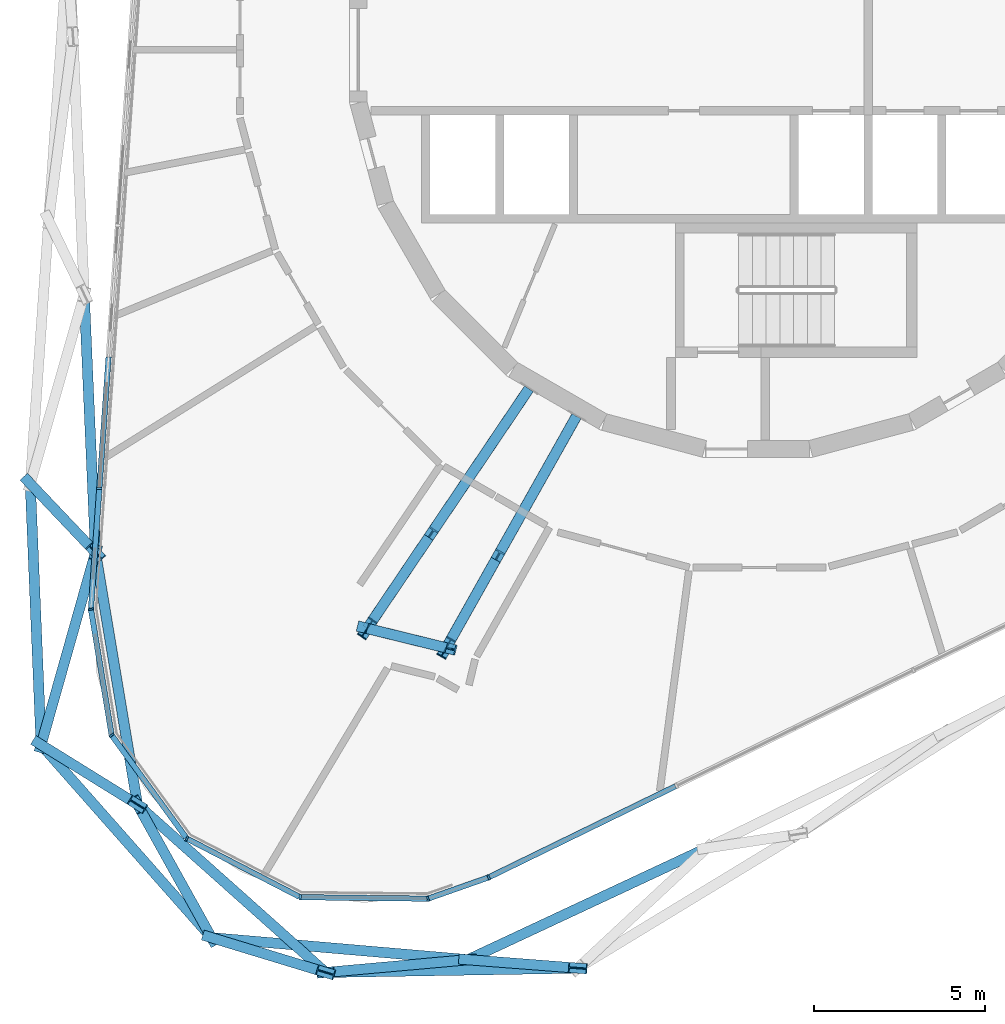
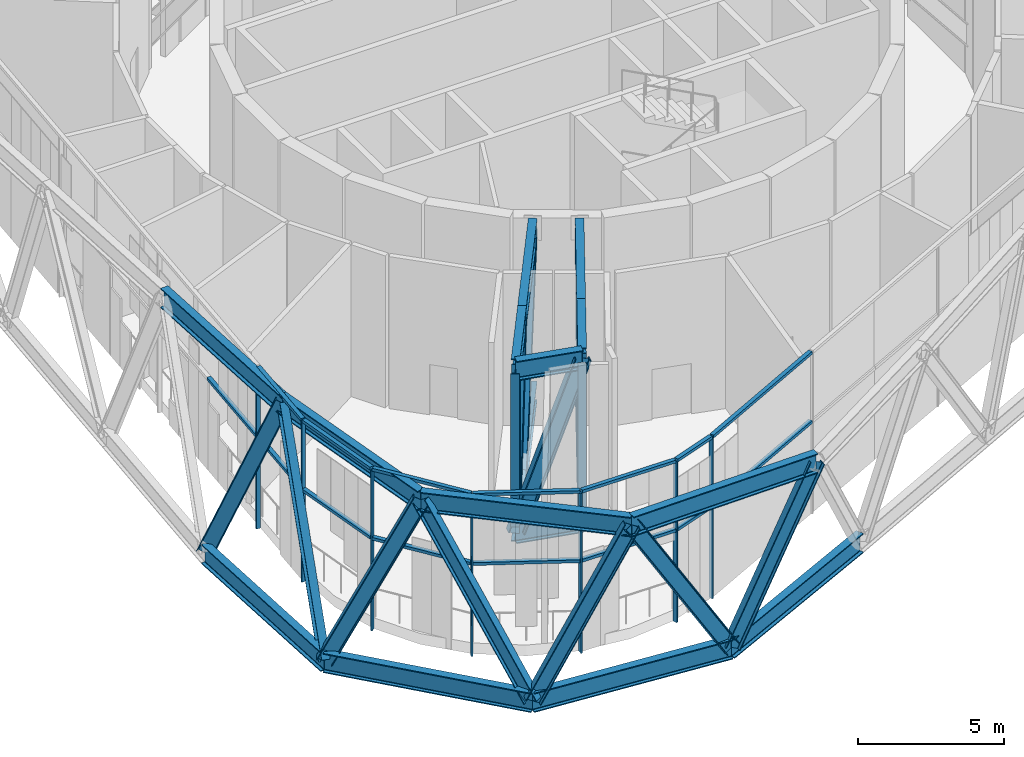
# One storey, part 1 of 24: 54 members, 2 elements without a shape of their own.
"""IFC4 building model written with IfcOpenShell, lengths in metres."""

from ifc_helpers import new_model, si_unit, direction, frame, origin, origin_2d, place, context, subcontext, project, spatial, rectangle, i_section, extrude, material, layer, layer_set, material_profile, profile_set, type_object, element, aggregate, save


model = new_model("IFC4")

# Units and contexts
model_context = context("Model", 3, precision=1e-05, world=origin(), true_north=direction((0.0, 1.0)))
body_context = subcontext(model_context, "Body", "Model", "MODEL_VIEW")
ifc_project = project(units=[si_unit("LENGTHUNIT", "METRE"), si_unit("AREAUNIT", "SQUARE_METRE"), si_unit("VOLUMEUNIT", "CUBIC_METRE"), si_unit("PLANEANGLEUNIT", "RADIAN"), si_unit("MASSUNIT", "GRAM", prefix="KILO")], contexts=[model_context])

# Site, building, storey
site_placement = place(None, origin())
site = spatial("IfcSite", under=ifc_project, at=site_placement, CompositionType="ELEMENT")
building_placement = place(site_placement, origin())
building = spatial("IfcBuilding", under=site, at=building_placement, Name="Spindle Arch Residences", CompositionType="ELEMENT")
storey_placement = place(building_placement, frame((0.0, 0.0, 219.89990234375)))
storey = spatial("IfcBuildingStorey", under=building, at=storey_placement, Name="L56", CompositionType="ELEMENT", Elevation=219.89990234375)

# Members
ifc_material_1 = material(Name="Steel S460ML, intumescent coating R 240", Category="steel")
ifc_material_profile_1 = material_profile(ifc_material_1, i_section(OverallWidth=0.302978515625, OverallDepth=0.81396484375, WebThickness=0.02099609375, FlangeThickness=0.0400390625, FilletRadius=0.030029296875, at=origin_2d()), Name="HEM 800")
ifc_profile_set_1 = profile_set([ifc_material_profile_1], Name="Steel S460ML, intumescent coating R 240")
member_type_1 = type_object("IfcMemberType", Name="Belt truss chord HEM 800", PredefinedType="CHORD", material=ifc_profile_set_1)
member_1_placement = place(storey_placement, frame((-21.21533203125, -12.656005859375, -0.85693359375), z_axis=(0.041470703136, -0.99913972035, 0.0), x_axis=(0.99913972035, 0.041470703136, 0.0)))
element("IfcMember", 1, at=member_1_placement, inside=storey, type_object=member_type_1, Name="Belt truss bottom chord L56.17", PredefinedType="CHORD", context=body_context, shape_type="SweptSolid", body=[
    extrude(i_section(OverallWidth=0.302978515625, OverallDepth=0.81396484375, WebThickness=0.02099609375, FlangeThickness=0.0400390625, FilletRadius=0.030029296875, at=origin_2d()), origin(), (0.0, 0.0, 1.0), 7.623779296875),
])
member_2_placement = place(storey_placement, frame((-20.899169921875, -20.273193359375, -0.85693359375), z_axis=(0.661973185379, -0.749527519067, 0.0), x_axis=(0.749527519067, 0.661973185379, 0.0)))
element("IfcMember", 2, at=member_2_placement, inside=storey, type_object=member_type_1, Name="Belt truss bottom chord L56.18", PredefinedType="CHORD", context=body_context, shape_type="SweptSolid", body=[
    extrude(i_section(OverallWidth=0.302978515625, OverallDepth=0.81396484375, WebThickness=0.02099609375, FlangeThickness=0.0400390625, FilletRadius=0.030029296875, at=origin_2d()), origin(), (0.0, 0.0, 1.0), 7.50927734375),
])
member_3_placement = place(storey_placement, frame((-15.92822265625, -25.901611328125, -0.85693359375), z_axis=(0.996343091308, -0.08544263808, 0.0), x_axis=(0.08544263808, 0.996343091308, 0.0)))
element("IfcMember", 3, at=member_3_placement, inside=storey, type_object=member_type_1, Name="Belt truss bottom chord L56.19", PredefinedType="CHORD", context=body_context, shape_type="SweptSolid", body=[
    extrude(i_section(OverallWidth=0.302978515625, OverallDepth=0.81396484375, WebThickness=0.02099609375, FlangeThickness=0.0400390625, FilletRadius=0.030029296875, at=origin_2d()), origin(), (0.0, 0.0, 1.0), 7.509033203125),
])
member_4_placement = place(storey_placement, frame((-8.446533203125, -26.543212890625, -0.85693359375), z_axis=(0.905892479673, 0.423507751136, 0.0), x_axis=(-0.423507751136, 0.905892479673, 0.0)))
element("IfcMember", 4, at=member_4_placement, inside=storey, type_object=member_type_1, Name="Belt truss bottom chord L56.20", PredefinedType="CHORD", context=body_context, shape_type="SweptSolid", body=[
    extrude(i_section(OverallWidth=0.302978515625, OverallDepth=0.81396484375, WebThickness=0.02099609375, FlangeThickness=0.0400390625, FilletRadius=0.030029296875, at=origin_2d()), origin(), (0.0, 0.0, 1.0), 7.687744140625),
])
member_5_placement = place(storey_placement, frame((-19.6416015625, -7.138671875, 5.943115234375), z_axis=(0.043607469261, -0.999048741866, 0.0), x_axis=(0.999048741866, 0.043607469261, 0.0)))
element("IfcMember", 5, at=member_5_placement, inside=storey, type_object=member_type_1, Name="Belt truss top chord L56.16", PredefinedType="CHORD", context=body_context, shape_type="SweptSolid", body=[
    extrude(i_section(OverallWidth=0.302978515625, OverallDepth=0.81396484375, WebThickness=0.02099609375, FlangeThickness=0.0400390625, FilletRadius=0.030029296875, at=origin_2d()), origin(), (0.0, 0.0, 1.0), 7.530029296875),
])
member_6_placement = place(storey_placement, frame((-19.313232421875, -14.66162109375, 5.943115234375), z_axis=(0.164181276157, -0.986430184331, 0.0), x_axis=(0.986430184331, 0.164181276157, 0.0)))
element("IfcMember", 6, at=member_6_placement, inside=storey, type_object=member_type_1, Name="Belt truss top chord L56.17", PredefinedType="CHORD", context=body_context, shape_type="SweptSolid", body=[
    extrude(i_section(OverallWidth=0.302978515625, OverallDepth=0.81396484375, WebThickness=0.02099609375, FlangeThickness=0.0400390625, FilletRadius=0.030029296875, at=origin_2d()), origin(), (0.0, 0.0, 1.0), 7.455810546875),
])
for number, where, z_axis, x_axis, name in (
    (7, (-18.089111328125, -22.016357421875, 5.943115234375), (0.746197856077, -0.665724236892, 0.0), (0.665724236892, 0.746197856077, 0.0), "Belt truss top chord L56.18"),
    (8, (-12.599365234375, -26.9140625, 5.943115234375), (0.999854520031, 0.017056927424, 0.0), (-0.017056927424, 0.999854520031, 0.0), "Belt truss top chord L56.19"),
):
    element("IfcMember", number, at=place(storey_placement, frame(where, z_axis=z_axis, x_axis=x_axis)), inside=storey, type_object=member_type_1, Name=name, PredefinedType="CHORD", context=body_context, shape_type="SweptSolid", body=[
        extrude(i_section(OverallWidth=0.302978515625, OverallDepth=0.81396484375, WebThickness=0.02099609375, FlangeThickness=0.0400390625, FilletRadius=0.030029296875, at=origin_2d()), origin(), (0.0, 0.0, 1.0), 7.35693359375),
    ])
ifc_material_2 = material(Name="Steel S460ML, intumescent coating R 240", Category="steel")
ifc_material_profile_2 = material_profile(ifc_material_2, i_section(OverallWidth=0.300048828125, OverallDepth=0.60009765625, WebThickness=0.015380859375, FlangeThickness=0.030029296875, FilletRadius=0.027099609375, at=origin_2d()), Name="HEB 600")
ifc_profile_set_2 = profile_set([ifc_material_profile_2], Name="Steel S460ML, intumescent coating R 240")
member_type_2 = type_object("IfcMemberType", Name="Belt truss diagonal HEB 600", PredefinedType="BRACE", material=ifc_profile_set_2)
member_7_placement = place(storey_placement, frame((-21.21533203125, -12.656005859375, -0.85693359375), z_axis=(0.259128314787, -0.273230536, 0.926389545857), x_axis=(0.72558355174, 0.688134078102, 0.0)))
element("IfcMember", 9, at=member_7_placement, inside=storey, type_object=member_type_2, Name="Belt truss diagonal L56.17.17", PredefinedType="BRACE", context=body_context, shape_type="SweptSolid", body=[
    extrude(i_section(OverallWidth=0.300048828125, OverallDepth=0.60009765625, WebThickness=0.015380859375, FlangeThickness=0.030029296875, FilletRadius=0.027099609375, at=origin_2d()), origin(), (0.0, 0.0, 1.0), 7.34033203125),
])
member_8_placement = place(storey_placement, frame((-20.899169921875, -20.273193359375, -0.85693359375), z_axis=(0.177041646584, 0.626431996112, 0.759104215258), x_axis=(-0.962306782956, 0.271966276358, 0.0)))
element("IfcMember", 10, at=member_8_placement, inside=storey, type_object=member_type_2, Name="Belt truss diagonal L56.17.18", PredefinedType="BRACE", context=body_context, shape_type="SweptSolid", body=[
    extrude(i_section(OverallWidth=0.300048828125, OverallDepth=0.60009765625, WebThickness=0.015380859375, FlangeThickness=0.030029296875, FilletRadius=0.027099609375, at=origin_2d()), origin(), (0.0, 0.0, 1.0), 8.9580078125),
])
member_9_placement = place(storey_placement, frame((-20.899169921875, -20.273193359375, -0.85693359375), z_axis=(0.371628982359, -0.230532661516, 0.899303392324), x_axis=(0.527142306243, 0.849777023089, 0.0)))
element("IfcMember", 11, at=member_9_placement, inside=storey, type_object=member_type_2, Name="Belt truss diagonal L56.18.18", PredefinedType="BRACE", context=body_context, shape_type="SweptSolid", body=[
    extrude(i_section(OverallWidth=0.300048828125, OverallDepth=0.60009765625, WebThickness=0.015380859375, FlangeThickness=0.030029296875, FilletRadius=0.027099609375, at=origin_2d()), origin(), (0.0, 0.0, 1.0), 7.5615234375),
])
member_10_placement = place(storey_placement, frame((-15.92822265625, -25.901611328125, -0.85693359375), z_axis=(-0.26597632563, 0.478222488541, 0.836994531439), x_axis=(-0.873926635777, -0.486057851782, 0.0)))
element("IfcMember", 12, at=member_10_placement, inside=storey, type_object=member_type_2, Name="Belt truss diagonal L56.18.19", PredefinedType="BRACE", context=body_context, shape_type="SweptSolid", body=[
    extrude(i_section(OverallWidth=0.300048828125, OverallDepth=0.60009765625, WebThickness=0.015380859375, FlangeThickness=0.030029296875, FilletRadius=0.027099609375, at=origin_2d()), origin(), (0.0, 0.0, 1.0), 8.124267578125),
])
member_11_placement = place(storey_placement, frame((-15.92822265625, -25.901611328125, -0.85693359375), z_axis=(0.435798649179, -0.132545434408, 0.890231006644), x_axis=(0.290982915281, 0.956728249303, 0.0)))
element("IfcMember", 13, at=member_11_placement, inside=storey, type_object=member_type_2, Name="Belt truss diagonal L56.19.19", PredefinedType="BRACE", context=body_context, shape_type="SweptSolid", body=[
    extrude(i_section(OverallWidth=0.300048828125, OverallDepth=0.60009765625, WebThickness=0.015380859375, FlangeThickness=0.030029296875, FilletRadius=0.027099609375, at=origin_2d()), origin(), (0.0, 0.0, 1.0), 7.638427734375),
])
member_12_placement = place(storey_placement, frame((-8.446533203125, -26.543212890625, -0.85693359375), z_axis=(-0.520634775449, -0.046492899701, 0.852512663173), x_axis=(0.08894646117, -0.996036408494, 0.0)))
element("IfcMember", 14, at=member_12_placement, inside=storey, type_object=member_type_2, Name="Belt truss diagonal L56.19.20", PredefinedType="BRACE", context=body_context, shape_type="SweptSolid", body=[
    extrude(i_section(OverallWidth=0.300048828125, OverallDepth=0.60009765625, WebThickness=0.015380859375, FlangeThickness=0.030029296875, FilletRadius=0.027099609375, at=origin_2d()), origin(), (0.0, 0.0, 1.0), 7.9765625),
])
member_13_placement = place(storey_placement, frame((-8.446533203125, -26.543212890625, -0.85693359375), z_axis=(0.425908025311, -0.032624814439, 0.904178066234), x_axis=(0.076376861021, 0.997079021493, 0.0)))
element("IfcMember", 15, at=member_13_placement, inside=storey, type_object=member_type_2, Name="Belt truss diagonal L56.20.20", PredefinedType="BRACE", context=body_context, shape_type="SweptSolid", body=[
    extrude(i_section(OverallWidth=0.300048828125, OverallDepth=0.60009765625, WebThickness=0.015380859375, FlangeThickness=0.030029296875, FilletRadius=0.027099609375, at=origin_2d()), origin(), (0.0, 0.0, 1.0), 7.520751953125),
])

# Curtain wall, members
ifc_material_3 = material(Name="Aluminium bronze unitised frame with tinted glass", Category="aluminium")
ifc_layer = layer(ifc_material_3, 0.159912109375)
ifc_layer_set = layer_set([ifc_layer], Name="CW-E double-height winter garden wall")
curtain_wall_type = type_object("IfcCurtainWallType", Name="CW-E double-height winter garden wall", PredefinedType="NOTDEFINED", material=ifc_layer_set)
curtain_wall_1_placement = place(storey_placement, origin())
curtain_wall_1 = element("IfcCurtainWall", 16, at=curtain_wall_1_placement, inside=storey, type_object=curtain_wall_type, Name="CW-E L56 run 5", PredefinedType="NOTDEFINED")
ifc_material_4 = material(Name="Aluminium bronze anodised mullion", Category="aluminium")
ifc_material_profile_3 = material_profile(ifc_material_4, rectangle(XDim=0.159912109375, YDim=0.06005859375, at=origin_2d()), Name="MU 60x160")
ifc_profile_set_3 = profile_set([ifc_material_profile_3], Name="Aluminium bronze anodised mullion")
member_type_3 = type_object("IfcMemberType", Name="Bronze mullion 60x160", PredefinedType="MULLION", material=ifc_profile_set_3)
member_14_placement = place(storey_placement, frame((-19.2001953125, -12.796875, -0.449951171875), z_axis=(0.0, 0.0, 1.0), x_axis=(0.99756405026, -0.069756473744, 0.0)))
member_14 = element("IfcMember", 17, at=member_14_placement, type_object=member_type_3, Name="CW-E mullion 00", PredefinedType="MULLION", context=body_context, shape_type="SweptSolid", body=[
    extrude(rectangle(XDim=0.159912109375, YDim=0.06005859375, at=origin_2d()), origin(), (0.0, 0.0, 1.0), 6.679931640625),
])
member_15_placement = place(storey_placement, frame((-19.4462890625, -16.31689453125, -0.449951171875), z_axis=(0.0, 0.0, 1.0), x_axis=(0.986761531666, 0.162177925821, 0.0)))
member_15 = element("IfcMember", 18, at=member_15_placement, type_object=member_type_3, Name="CW-E mullion 01", PredefinedType="MULLION", context=body_context, shape_type="SweptSolid", body=[
    extrude(rectangle(XDim=0.159912109375, YDim=0.06005859375, at=origin_2d()), origin(), (0.0, 0.0, 1.0), 6.679931640625),
])
member_16_placement = place(storey_placement, frame((-18.842041015625, -19.994140625, -0.449951171875), z_axis=(0.0, 0.0, 1.0), x_axis=(0.809016992641, 0.587785254679, 0.0)))
member_16 = element("IfcMember", 19, at=member_16_placement, type_object=member_type_3, Name="CW-E mullion 02", PredefinedType="MULLION", context=body_context, shape_type="SweptSolid", body=[
    extrude(rectangle(XDim=0.159912109375, YDim=0.06005859375, at=origin_2d()), origin(), (0.0, 0.0, 1.0), 6.679931640625),
])
member_17_placement = place(storey_placement, frame((-16.6513671875, -23.00927734375, -0.449951171875), z_axis=(0.0, 0.0, 1.0), x_axis=(0.459166453025, 0.88835025098, 0.0)))
member_17 = element("IfcMember", 20, at=member_17_placement, type_object=member_type_3, Name="CW-E mullion 03", PredefinedType="MULLION", context=body_context, shape_type="SweptSolid", body=[
    extrude(rectangle(XDim=0.159912109375, YDim=0.06005859375, at=origin_2d()), origin(), (0.0, 0.0, 1.0), 6.679931640625),
])
member_18_placement = place(storey_placement, frame((-13.3408203125, -24.720458984375, -0.449951171875), z_axis=(0.0, 0.0, 1.0), x_axis=(0.011635263346, 0.999932308032, 0.0)))
member_18 = element("IfcMember", 21, at=member_18_placement, type_object=member_type_3, Name="CW-E mullion 04", PredefinedType="MULLION", context=body_context, shape_type="SweptSolid", body=[
    extrude(rectangle(XDim=0.159912109375, YDim=0.06005859375, at=origin_2d()), origin(), (0.0, 0.0, 1.0), 6.679931640625),
])
member_19_placement = place(storey_placement, frame((-9.6142578125, -24.763916015625, -0.449951171875), z_axis=(0.0, 0.0, 1.0), x_axis=(-0.33106342198, 0.943608504957, 0.0)))
member_19 = element("IfcMember", 22, at=member_19_placement, type_object=member_type_3, Name="CW-E mullion 05", PredefinedType="MULLION", context=body_context, shape_type="SweptSolid", body=[
    extrude(rectangle(XDim=0.159912109375, YDim=0.06005859375, at=origin_2d()), origin(), (0.0, 0.0, 1.0), 6.679931640625),
])
member_20_placement = place(storey_placement, frame((-7.843994140625, -24.142822265625, -0.449951171875), z_axis=(0.0, 0.0, 1.0), x_axis=(-0.438371146789, 0.898794046299, 0.0)))
member_20 = element("IfcMember", 23, at=member_20_placement, type_object=member_type_3, Name="CW-E mullion 06", PredefinedType="MULLION", context=body_context, shape_type="SweptSolid", body=[
    extrude(rectangle(XDim=0.159912109375, YDim=0.06005859375, at=origin_2d()), origin(), (0.0, 0.0, 1.0), 6.679931640625),
])

# Curtain wall, member
curtain_wall_2_placement = place(storey_placement, origin())
curtain_wall_2 = element("IfcCurtainWall", 24, at=curtain_wall_2_placement, inside=storey, type_object=curtain_wall_type, Name="CW-E L56 run 4", PredefinedType="NOTDEFINED")
ifc_material_5 = material(Name="Aluminium bronze anodised transom", Category="aluminium")
ifc_material_profile_4 = material_profile(ifc_material_5, rectangle(XDim=0.159912109375, YDim=0.1201171875, at=origin_2d()), Name="TR 120x160")
ifc_profile_set_4 = profile_set([ifc_material_profile_4], Name="Aluminium bronze anodised transom")
member_type_4 = type_object("IfcMemberType", Name="Bronze transom 120x160", PredefinedType="USERDEFINED", material=ifc_profile_set_4)
member_21_placement = place(storey_placement, frame((-18.931884765625, -8.95947265625, 3.400146484375), z_axis=(-0.069719647406, -0.997566624725, 0.0), x_axis=(0.997566624725, -0.069719647406, 0.0)))
member_21 = element("IfcMember", 25, at=member_21_placement, type_object=member_type_4, Name="CW-E transom 15Bm", ObjectType="TRANSOM", PredefinedType="USERDEFINED", context=body_context, shape_type="SweptSolid", body=[
    extrude(rectangle(XDim=0.159912109375, YDim=0.1201171875, at=origin_2d()), origin(), (0.0, 0.0, 1.0), 3.81689453125),
])
aggregate(curtain_wall_2, [member_21])

# Member
member_22_placement = place(storey_placement, frame((-19.202392578125, -12.826904296875, 6.2900390625), z_axis=(-0.069756279092, -0.997564063871, 0.0), x_axis=(0.997564063871, -0.069756279092, 0.0)))
member_22 = element("IfcMember", 26, at=member_22_placement, type_object=member_type_4, Name="CW-E transom 00", ObjectType="TRANSOM", PredefinedType="USERDEFINED", context=body_context, shape_type="SweptSolid", body=[
    extrude(rectangle(XDim=0.159912109375, YDim=0.1201171875, at=origin_2d()), origin(), (0.0, 0.0, 1.0), 3.468505859375),
])

member_23_placement = place(storey_placement, frame((-19.202392578125, -12.826904296875, 3.400146484375), z_axis=(-0.069756279092, -0.997564063871, 0.0), x_axis=(0.997564063871, -0.069756279092, 0.0)))
member_23 = element("IfcMember", 27, at=member_23_placement, type_object=member_type_4, Name="CW-E transom 00m", ObjectType="TRANSOM", PredefinedType="USERDEFINED", context=body_context, shape_type="SweptSolid", body=[
    extrude(rectangle(XDim=0.159912109375, YDim=0.1201171875, at=origin_2d()), origin(), (0.0, 0.0, 1.0), 3.468505859375),
])

member_24_placement = place(storey_placement, frame((-19.44140625, -16.346435546875, 6.2900390625), z_axis=(0.162131110814, -0.986769224746, 0.0), x_axis=(0.986769224746, 0.162131110814, 0.0)))
member_24 = element("IfcMember", 28, at=member_24_placement, type_object=member_type_4, Name="CW-E transom 01", ObjectType="TRANSOM", PredefinedType="USERDEFINED", context=body_context, shape_type="SweptSolid", body=[
    extrude(rectangle(XDim=0.159912109375, YDim=0.1201171875, at=origin_2d()), origin(), (0.0, 0.0, 1.0), 3.666748046875),
])

member_25_placement = place(storey_placement, frame((-19.44140625, -16.346435546875, 3.400146484375), z_axis=(0.162131110814, -0.986769224746, 0.0), x_axis=(0.986769224746, 0.162131110814, 0.0)))
member_25 = element("IfcMember", 29, at=member_25_placement, type_object=member_type_4, Name="CW-E transom 01m", ObjectType="TRANSOM", PredefinedType="USERDEFINED", context=body_context, shape_type="SweptSolid", body=[
    extrude(rectangle(XDim=0.159912109375, YDim=0.1201171875, at=origin_2d()), origin(), (0.0, 0.0, 1.0), 3.666748046875),
])

member_26_placement = place(storey_placement, frame((-18.82421875, -20.0185546875, 6.2900390625), z_axis=(0.587807403161, -0.809000900363, 0.0), x_axis=(0.809000900363, 0.587807403161, 0.0)))
member_26 = element("IfcMember", 30, at=member_26_placement, type_object=member_type_4, Name="CW-E transom 02", ObjectType="TRANSOM", PredefinedType="USERDEFINED", context=body_context, shape_type="SweptSolid", body=[
    extrude(rectangle(XDim=0.159912109375, YDim=0.1201171875, at=origin_2d()), origin(), (0.0, 0.0, 1.0), 3.666748046875),
])

member_27_placement = place(storey_placement, frame((-18.82421875, -20.0185546875, 3.400146484375), z_axis=(0.587807403161, -0.809000900363, 0.0), x_axis=(0.809000900363, 0.587807403161, 0.0)))
member_27 = element("IfcMember", 31, at=member_27_placement, type_object=member_type_4, Name="CW-E transom 02m", ObjectType="TRANSOM", PredefinedType="USERDEFINED", context=body_context, shape_type="SweptSolid", body=[
    extrude(rectangle(XDim=0.159912109375, YDim=0.1201171875, at=origin_2d()), origin(), (0.0, 0.0, 1.0), 3.666748046875),
])

member_28_placement = place(storey_placement, frame((-16.624755859375, -23.02294921875, 6.2900390625), z_axis=(0.888327233371, -0.459210982503, 0.0), x_axis=(0.459210982503, 0.888327233371, 0.0)))
member_28 = element("IfcMember", 32, at=member_28_placement, type_object=member_type_4, Name="CW-E transom 03", ObjectType="TRANSOM", PredefinedType="USERDEFINED", context=body_context, shape_type="SweptSolid", body=[
    extrude(rectangle(XDim=0.159912109375, YDim=0.1201171875, at=origin_2d()), origin(), (0.0, 0.0, 1.0), 3.666748046875),
])

member_29_placement = place(storey_placement, frame((-16.624755859375, -23.02294921875, 3.400146484375), z_axis=(0.888327233371, -0.459210982503, 0.0), x_axis=(0.459210982503, 0.888327233371, 0.0)))
member_29 = element("IfcMember", 33, at=member_29_placement, type_object=member_type_4, Name="CW-E transom 03m", ObjectType="TRANSOM", PredefinedType="USERDEFINED", context=body_context, shape_type="SweptSolid", body=[
    extrude(rectangle(XDim=0.159912109375, YDim=0.1201171875, at=origin_2d()), origin(), (0.0, 0.0, 1.0), 3.666748046875),
])

member_30_placement = place(storey_placement, frame((-13.310791015625, -24.720703125, 6.2900390625), z_axis=(0.999932114398, -0.011651892397, 0.0), x_axis=(0.011651892397, 0.999932114398, 0.0)))
member_30 = element("IfcMember", 34, at=member_30_placement, type_object=member_type_4, Name="CW-E transom 04", ObjectType="TRANSOM", PredefinedType="USERDEFINED", context=body_context, shape_type="SweptSolid", body=[
    extrude(rectangle(XDim=0.159912109375, YDim=0.1201171875, at=origin_2d()), origin(), (0.0, 0.0, 1.0), 3.666748046875),
])

member_31_placement = place(storey_placement, frame((-13.310791015625, -24.720703125, 3.400146484375), z_axis=(0.999932114398, -0.011651892397, 0.0), x_axis=(0.011651892397, 0.999932114398, 0.0)))
member_31 = element("IfcMember", 35, at=member_31_placement, type_object=member_type_4, Name="CW-E transom 04m", ObjectType="TRANSOM", PredefinedType="USERDEFINED", context=body_context, shape_type="SweptSolid", body=[
    extrude(rectangle(XDim=0.159912109375, YDim=0.1201171875, at=origin_2d()), origin(), (0.0, 0.0, 1.0), 3.666748046875),
])

member_32_placement = place(storey_placement, frame((-9.5859375, -24.75390625, 6.2900390625), z_axis=(0.943591876762, 0.331110812432, 0.0), x_axis=(-0.331110812432, 0.943591876762, 0.0)))
member_32 = element("IfcMember", 36, at=member_32_placement, type_object=member_type_4, Name="CW-E transom 05", ObjectType="TRANSOM", PredefinedType="USERDEFINED", context=body_context, shape_type="SweptSolid", body=[
    extrude(rectangle(XDim=0.159912109375, YDim=0.1201171875, at=origin_2d()), origin(), (0.0, 0.0, 1.0), 1.816162109375),
])

member_33_placement = place(storey_placement, frame((-9.5859375, -24.75390625, 3.400146484375), z_axis=(0.943591876762, 0.331110812432, 0.0), x_axis=(-0.331110812432, 0.943591876762, 0.0)))
member_33 = element("IfcMember", 37, at=member_33_placement, type_object=member_type_4, Name="CW-E transom 05m", ObjectType="TRANSOM", PredefinedType="USERDEFINED", context=body_context, shape_type="SweptSolid", body=[
    extrude(rectangle(XDim=0.159912109375, YDim=0.1201171875, at=origin_2d()), origin(), (0.0, 0.0, 1.0), 1.816162109375),
])

member_34_placement = place(storey_placement, frame((-7.81689453125, -24.129638671875, 6.2900390625), z_axis=(0.898786724344, 0.438386158704, 0.0), x_axis=(-0.438386158704, 0.898786724344, 0.0)))
member_34 = element("IfcMember", 38, at=member_34_placement, type_object=member_type_4, Name="CW-E transom 06", ObjectType="TRANSOM", PredefinedType="USERDEFINED", context=body_context, shape_type="SweptSolid", body=[
    extrude(rectangle(XDim=0.159912109375, YDim=0.1201171875, at=origin_2d()), origin(), (0.0, 0.0, 1.0), 6.032958984375),
])

member_35_placement = place(storey_placement, frame((-7.81689453125, -24.129638671875, 3.400146484375), z_axis=(0.898786724344, 0.438386158704, 0.0), x_axis=(-0.438386158704, 0.898786724344, 0.0)))
member_35 = element("IfcMember", 39, at=member_35_placement, type_object=member_type_4, Name="CW-E transom 06m", ObjectType="TRANSOM", PredefinedType="USERDEFINED", context=body_context, shape_type="SweptSolid", body=[
    extrude(rectangle(XDim=0.159912109375, YDim=0.1201171875, at=origin_2d()), origin(), (0.0, 0.0, 1.0), 6.032958984375),
])

aggregate(curtain_wall_1, [member_14, member_22, member_23, member_15, member_24, member_25, member_16, member_26, member_27, member_17, member_28, member_29, member_18, member_30, member_31, member_19, member_32, member_33, member_20, member_34, member_35])

# Members
ifc_material_6 = material(Name="Steel S460ML, intumescent coating R 240", Category="steel")
ifc_material_profile_5 = material_profile(ifc_material_6, i_section(OverallWidth=0.302978515625, OverallDepth=0.81396484375, WebThickness=0.02099609375, FlangeThickness=0.0400390625, FilletRadius=0.030029296875, at=origin_2d()), Name="HEM 800")
ifc_profile_set_5 = profile_set([ifc_material_profile_5], Name="Steel S460ML, intumescent coating R 240")
member_type_5 = type_object("IfcMemberType", Name="Transfer truss chord HEM 800", PredefinedType="CHORD", material=ifc_profile_set_5)
for number, where, z_axis, x_axis, name in (
    (40, (-6.669189453125, -9.887451171875, -0.85693359375), (-0.559173756188, -0.829050487239, 0.0), (0.829050487239, -0.559173756188, 0.0), "Transfer truss chord L56"),
    (41, (-6.669189453125, -9.887451171875, 5.943115234375), (-0.559173756188, -0.829050487239, 0.0), (0.829050487239, -0.559173756188, 0.0), "Transfer truss chord L56"),
):
    element("IfcMember", number, at=place(storey_placement, frame(where, z_axis=z_axis, x_axis=x_axis)), inside=storey, type_object=member_type_5, Name=name, PredefinedType="CHORD", context=body_context, shape_type="SweptSolid", body=[
        extrude(i_section(OverallWidth=0.302978515625, OverallDepth=0.81396484375, WebThickness=0.02099609375, FlangeThickness=0.0400390625, FilletRadius=0.030029296875, at=origin_2d()), origin(), (0.0, 0.0, 1.0), 5.229736328125),
    ])
for number, where, z_axis, x_axis, name in (
    (42, (-9.593505859375, -14.22314453125, -0.85693359375), (-0.559191584012, -0.82903846254, 0.0), (0.82903846254, -0.559191584012, 0.0), "Transfer truss chord L56"),
    (43, (-9.593505859375, -14.22314453125, 5.943115234375), (-0.559191584012, -0.82903846254, 0.0), (0.82903846254, -0.559191584012, 0.0), "Transfer truss chord L56"),
):
    element("IfcMember", number, at=place(storey_placement, frame(where, z_axis=z_axis, x_axis=x_axis)), inside=storey, type_object=member_type_5, Name=name, PredefinedType="CHORD", context=body_context, shape_type="SweptSolid", body=[
        extrude(i_section(OverallWidth=0.302978515625, OverallDepth=0.81396484375, WebThickness=0.02099609375, FlangeThickness=0.0400390625, FilletRadius=0.030029296875, at=origin_2d()), origin(), (0.0, 0.0, 1.0), 3.20556640625),
    ])
for number, where, z_axis, x_axis, name in (
    (44, (-11.385986328125, -16.880615234375, -0.85693359375), (0.971156910966, -0.238441301548, 0.0), (0.238441301548, 0.971156910966, 0.0), "Transfer truss chord L56"),
    (45, (-11.385986328125, -16.880615234375, 5.943115234375), (0.971156910966, -0.238441301548, 0.0), (0.238441301548, 0.971156910966, 0.0), "Transfer truss chord L56"),
):
    element("IfcMember", number, at=place(storey_placement, frame(where, z_axis=z_axis, x_axis=x_axis)), inside=storey, type_object=member_type_5, Name=name, PredefinedType="CHORD", context=body_context, shape_type="SweptSolid", body=[
        extrude(i_section(OverallWidth=0.302978515625, OverallDepth=0.81396484375, WebThickness=0.02099609375, FlangeThickness=0.0400390625, FilletRadius=0.030029296875, at=origin_2d()), origin(), (0.0, 0.0, 1.0), 2.372314453125),
    ])
for number, where, z_axis, x_axis, name in (
    (46, (-5.2822265625, -10.68798828125, -0.85693359375), (-0.490099675622, -0.87166639717, 0.0), (0.87166639717, -0.490099675622, 0.0), "Transfer truss chord L56"),
    (47, (-5.2822265625, -10.68798828125, 5.943115234375), (-0.490099675622, -0.87166639717, 0.0), (0.87166639717, -0.490099675622, 0.0), "Transfer truss chord L56"),
):
    element("IfcMember", number, at=place(storey_placement, frame(where, z_axis=z_axis, x_axis=x_axis)), inside=storey, type_object=member_type_5, Name=name, PredefinedType="CHORD", context=body_context, shape_type="SweptSolid", body=[
        extrude(i_section(OverallWidth=0.302978515625, OverallDepth=0.81396484375, WebThickness=0.02099609375, FlangeThickness=0.0400390625, FilletRadius=0.030029296875, at=origin_2d()), origin(), (0.0, 0.0, 1.0), 4.80712890625),
    ])
for number, where, z_axis, x_axis, name in (
    (48, (-7.63818359375, -14.878173828125, -0.85693359375), (-0.490076314369, -0.871679531763, 0.0), (0.871679531763, -0.490076314369, 0.0), "Transfer truss chord L56"),
    (49, (-7.63818359375, -14.878173828125, 5.943115234375), (-0.490076314369, -0.871679531763, 0.0), (0.871679531763, -0.490076314369, 0.0), "Transfer truss chord L56"),
):
    element("IfcMember", number, at=place(storey_placement, frame(where, z_axis=z_axis, x_axis=x_axis)), inside=storey, type_object=member_type_5, Name=name, PredefinedType="CHORD", context=body_context, shape_type="SweptSolid", body=[
        extrude(i_section(OverallWidth=0.302978515625, OverallDepth=0.81396484375, WebThickness=0.02099609375, FlangeThickness=0.0400390625, FilletRadius=0.030029296875, at=origin_2d()), origin(), (0.0, 0.0, 1.0), 2.9462890625),
    ])
ifc_material_7 = material(Name="Steel S460ML, intumescent coating R 240", Category="steel")
ifc_material_profile_6 = material_profile(ifc_material_7, i_section(OverallWidth=0.304931640625, OverallDepth=0.6201171875, WebThickness=0.02099609375, FlangeThickness=0.0400390625, FilletRadius=0.027099609375, at=origin_2d()), Name="HEM 600")
ifc_profile_set_6 = profile_set([ifc_material_profile_6], Name="Steel S460ML, intumescent coating R 240")
member_type_6 = type_object("IfcMemberType", Name="Transfer truss diagonal HEM 600", PredefinedType="BRACE", material=ifc_profile_set_6)
member_36_placement = place(storey_placement, frame((-9.593505859375, -14.22314453125, -0.85693359375), z_axis=(0.340889326253, 0.505414388455, 0.79268579096), x_axis=(-0.829050487239, 0.559173756188, 0.0)))
element("IfcMember", 50, at=member_36_placement, inside=storey, type_object=member_type_6, Name="Transfer truss diagonal L56", PredefinedType="BRACE", context=body_context, shape_type="SweptSolid", body=[
    extrude(i_section(OverallWidth=0.304931640625, OverallDepth=0.6201171875, WebThickness=0.02099609375, FlangeThickness=0.0400390625, FilletRadius=0.027099609375, at=origin_2d()), origin(), (0.0, 0.0, 1.0), 8.57861328125),
])
member_37_placement = place(storey_placement, frame((-11.385986328125, -16.880615234375, -0.85693359375), z_axis=(0.238434716241, 0.353495217418, 0.904538565985), x_axis=(-0.82903846254, 0.559191584012, 0.0)))
element("IfcMember", 51, at=member_37_placement, inside=storey, type_object=member_type_6, Name="Transfer truss diagonal L56", PredefinedType="BRACE", context=body_context, shape_type="SweptSolid", body=[
    extrude(i_section(OverallWidth=0.304931640625, OverallDepth=0.6201171875, WebThickness=0.02099609375, FlangeThickness=0.0400390625, FilletRadius=0.027099609375, at=origin_2d()), origin(), (0.0, 0.0, 1.0), 7.517578125),
])
member_38_placement = place(storey_placement, frame((-11.385986328125, -16.880615234375, -0.85693359375), z_axis=(0.319904725851, -0.078543949327, 0.94418844221), x_axis=(0.238441301548, 0.971156910966, 0.0)))
element("IfcMember", 52, at=member_38_placement, inside=storey, type_object=member_type_6, Name="Transfer truss diagonal L56", PredefinedType="BRACE", context=body_context, shape_type="SweptSolid", body=[
    extrude(i_section(OverallWidth=0.304931640625, OverallDepth=0.6201171875, WebThickness=0.02099609375, FlangeThickness=0.0400390625, FilletRadius=0.027099609375, at=origin_2d()), origin(), (0.0, 0.0, 1.0), 7.201904296875),
])
member_39_placement = place(storey_placement, frame((-7.63818359375, -14.878173828125, -0.85693359375), z_axis=(0.282909626718, 0.503168696722, 0.816568065595), x_axis=(-0.87166639717, 0.490099675622, 0.0)))
element("IfcMember", 53, at=member_39_placement, inside=storey, type_object=member_type_6, Name="Transfer truss diagonal L56", PredefinedType="BRACE", context=body_context, shape_type="SweptSolid", body=[
    extrude(i_section(OverallWidth=0.304931640625, OverallDepth=0.6201171875, WebThickness=0.02099609375, FlangeThickness=0.0400390625, FilletRadius=0.027099609375, at=origin_2d()), origin(), (0.0, 0.0, 1.0), 8.32763671875),
])
member_40_placement = place(storey_placement, frame((-9.08203125, -17.4462890625, -0.85693359375), z_axis=(0.194829102814, 0.346534888822, 0.917581163454), x_axis=(-0.871679531763, 0.490076314369, 0.0)))
element("IfcMember", 54, at=member_40_placement, inside=storey, type_object=member_type_6, Name="Transfer truss diagonal L56", PredefinedType="BRACE", context=body_context, shape_type="SweptSolid", body=[
    extrude(i_section(OverallWidth=0.304931640625, OverallDepth=0.6201171875, WebThickness=0.02099609375, FlangeThickness=0.0400390625, FilletRadius=0.027099609375, at=origin_2d()), origin(), (0.0, 0.0, 1.0), 7.410888671875),
])
ifc_material_8 = material(Name="Steel S460ML, intumescent coating R 240", Category="steel")
ifc_material_profile_7 = material_profile(ifc_material_8, i_section(OverallWidth=0.300048828125, OverallDepth=0.60009765625, WebThickness=0.015380859375, FlangeThickness=0.030029296875, FilletRadius=0.027099609375, at=origin_2d()), Name="HEB 600")
ifc_profile_set_7 = profile_set([ifc_material_profile_7], Name="Steel S460ML, intumescent coating R 240")
member_type_7 = type_object("IfcMemberType", Name="Transfer truss post HEB 600", PredefinedType="POST", material=ifc_profile_set_7)
member_41_placement = place(storey_placement, frame((-11.385986328125, -16.880615234375, -0.449951171875), z_axis=(0.0, 0.0, 1.0), x_axis=(-0.829038506465, 0.55919151889, 0.0)))
element("IfcMember", 55, at=member_41_placement, inside=storey, type_object=member_type_7, Name="Transfer truss post L56", PredefinedType="POST", context=body_context, shape_type="SweptSolid", body=[
    extrude(i_section(OverallWidth=0.300048828125, OverallDepth=0.60009765625, WebThickness=0.015380859375, FlangeThickness=0.030029296875, FilletRadius=0.027099609375, at=origin_2d()), origin(), (0.0, 0.0, 1.0), 6.39306640625),
])
member_42_placement = place(storey_placement, frame((-9.08203125, -17.4462890625, -0.85693359375), z_axis=(0.0, 0.0, 1.0), x_axis=(-0.871674778726, 0.490084768314, 0.0)))
element("IfcMember", 56, at=member_42_placement, inside=storey, type_object=member_type_7, Name="Transfer truss post L56", PredefinedType="POST", context=body_context, shape_type="SweptSolid", body=[
    extrude(i_section(OverallWidth=0.300048828125, OverallDepth=0.60009765625, WebThickness=0.015380859375, FlangeThickness=0.030029296875, FilletRadius=0.027099609375, at=origin_2d()), origin(), (0.0, 0.0, 1.0), 6.800048828125),
])

save(model, "model.ifc")
